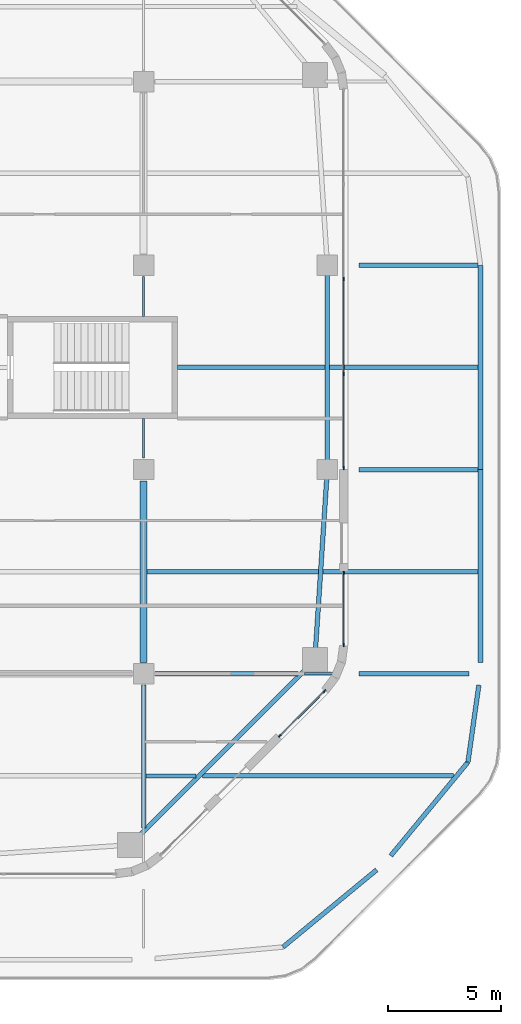
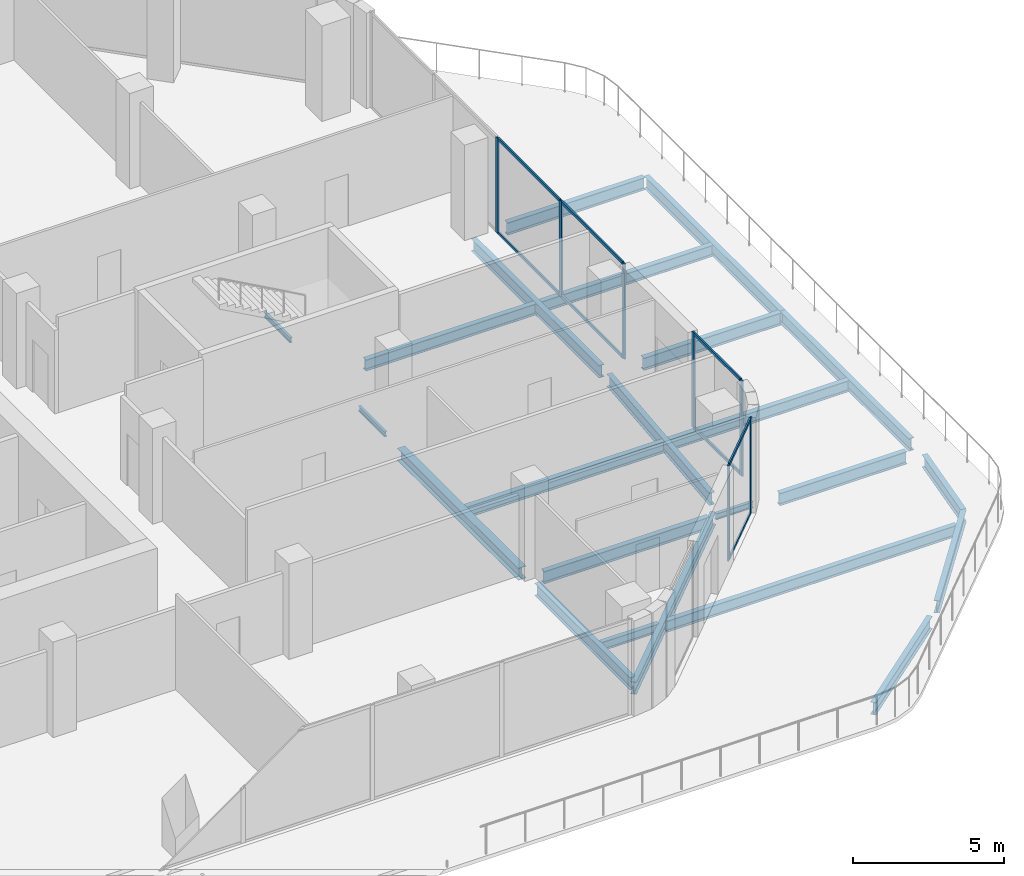
# One storey, part 19 of 29: 23 beams, 15 members, 3 elements without a shape of their own.
"""IFC4 building model written with IfcOpenShell, lengths in metres."""

from ifc_helpers import new_model, si_unit, direction, frame, origin, origin_2d, place, context, subcontext, project, spatial, rectangle, i_section, extrude, material, material_profile, profile_set, type_object, element, aggregate, save


model = new_model("IFC4")

# Units and contexts
model_context = context("Model", 3, precision=1e-05, world=origin(), true_north=direction((0.0, 1.0)))
body_context = subcontext(model_context, "Body", "Model", "MODEL_VIEW")
ifc_project = project(units=[si_unit("LENGTHUNIT", "METRE"), si_unit("AREAUNIT", "SQUARE_METRE"), si_unit("VOLUMEUNIT", "CUBIC_METRE"), si_unit("PLANEANGLEUNIT", "RADIAN"), si_unit("MASSUNIT", "GRAM", prefix="KILO")], contexts=[model_context])

# Site, building, storey
site_placement = place(None, origin())
site = spatial("IfcSite", under=ifc_project, at=site_placement, CompositionType="ELEMENT")
building_placement = place(site_placement, origin())
building = spatial("IfcBuilding", under=site, at=building_placement, Name="Cinnabar Reach Civic Tower", CompositionType="ELEMENT")
storey_placement = place(building_placement, frame((0.0, 0.0, 149.0)))
storey = spatial("IfcBuildingStorey", under=building, at=storey_placement, Name="L35", CompositionType="ELEMENT", Elevation=149.0)

# Beams
ifc_material_1 = material(Name="Steel Q355B", Category="steel")
ifc_material_profile_1 = material_profile(ifc_material_1, i_section(OverallWidth=0.3, OverallDepth=0.488, WebThickness=0.011, FlangeThickness=0.018, FilletRadius=0.016, at=origin_2d()), Name="HM488x300x11x18")
ifc_profile_set_1 = profile_set([ifc_material_profile_1], Name="Steel Q355B")
beam_type_1 = type_object("IfcBeamType", Name="HM488x300x11x18 beam R 180", PredefinedType="BEAM", material=ifc_profile_set_1)
beam_1_placement = place(storey_placement, frame((36.0, 18.502, -0.394), z_axis=(0.0, 1.0, 0.0), x_axis=(-1.0, 0.0, 0.0)))
element("IfcBeam", 1, at=beam_1_placement, inside=storey, type_object=beam_type_1, Name="Girder T1 L35 18", PredefinedType="BEAM", context=body_context, shape_type="SweptSolid", body=[
    extrude(i_section(OverallWidth=0.3, OverallDepth=0.488, WebThickness=0.011, FlangeThickness=0.018, FilletRadius=0.016, at=origin_2d()), origin(), (0.0, 0.0, 1.0), 7.996),
])
ifc_material_profile_2 = material_profile(ifc_material_1, i_section(OverallWidth=0.099, OverallDepth=0.198, WebThickness=0.0045, FlangeThickness=0.007, FilletRadius=0.013, at=origin_2d()), Name="HN200x100x5.5x8")
ifc_profile_set_2 = profile_set([ifc_material_profile_2], Name="Steel Q355B")
beam_type_2 = type_object("IfcBeamType", Name="HN200x100x5.5x8 beam R 180", PredefinedType="BEAM", material=ifc_profile_set_2)
for number, where, z_axis, x_axis, name in (
    (2, (36.0, 27.502, -0.249), (0.0, 1.0, 0.0), (-1.0, 0.0, 0.0), "Girder T1 L35 19"),
    (3, (36.0, 33.752, -0.249), (0.0, 1.0, 0.0), (-1.0, 0.0, 0.0), "Girder T1 L35 20"),
):
    element("IfcBeam", number, at=place(storey_placement, frame(where, z_axis=z_axis, x_axis=x_axis)), inside=storey, type_object=beam_type_2, Name=name, PredefinedType="BEAM", context=body_context, shape_type="SweptSolid", body=[
        extrude(i_section(OverallWidth=0.099, OverallDepth=0.198, WebThickness=0.0045, FlangeThickness=0.007, FilletRadius=0.013, at=origin_2d()), origin(), (0.0, 0.0, 1.0), 1.746),
    ])
ifc_material_profile_3 = material_profile(ifc_material_1, i_section(OverallWidth=0.124, OverallDepth=0.248, WebThickness=0.005, FlangeThickness=0.008, FilletRadius=0.013, at=origin_2d()), Name="HN250x125x6x9")
ifc_profile_set_3 = profile_set([ifc_material_profile_3], Name="Steel Q355B")
beam_type_3 = type_object("IfcBeamType", Name="HN250x125x6x9 beam R 180", PredefinedType="BEAM", material=ifc_profile_set_3)
beam_2_placement = place(storey_placement, frame((43.0892, 18.0, -0.274), z_axis=(1.0, 0.0, 0.0), x_axis=(0.0, 1.0, 0.0)))
element("IfcBeam", 4, at=beam_2_placement, inside=storey, type_object=beam_type_3, Name="Girder T1 L35 6", PredefinedType="BEAM", context=body_context, shape_type="SweptSolid", body=[
    extrude(i_section(OverallWidth=0.124, OverallDepth=0.248, WebThickness=0.005, FlangeThickness=0.008, FilletRadius=0.013, at=origin_2d()), origin(), (0.0, 0.0, 1.0), 1.4088),
])
ifc_material_profile_4 = material_profile(ifc_material_1, i_section(OverallWidth=0.175, OverallDepth=0.35, WebThickness=0.007, FlangeThickness=0.011, FilletRadius=0.013, at=origin_2d()), Name="HN350x175x7x11")
ifc_profile_set_4 = profile_set([ifc_material_profile_4], Name="Steel Q355B")
beam_type_4 = type_object("IfcBeamType", Name="HN350x175x7x11 beam R 180", PredefinedType="BEAM", material=ifc_profile_set_4)
beam_3_placement = place(storey_placement, frame((36.102, 13.5, -0.325), z_axis=(1.0, 0.0, 0.0), x_axis=(0.0, 1.0, 0.0)))
element("IfcBeam", 5, at=beam_3_placement, inside=storey, type_object=beam_type_4, Name="Secondary beam T1 L35 5", PredefinedType="BEAM", context=body_context, shape_type="SweptSolid", body=[
    extrude(i_section(OverallWidth=0.175, OverallDepth=0.35, WebThickness=0.007, FlangeThickness=0.011, FilletRadius=0.013, at=origin_2d()), origin(), (0.0, 0.0, 1.0), 2.1988),
])
ifc_material_profile_5 = material_profile(ifc_material_1, i_section(OverallWidth=0.2, OverallDepth=0.45, WebThickness=0.009, FlangeThickness=0.014, FilletRadius=0.016, at=origin_2d()), Name="HN450x200x9x14")
ifc_profile_set_5 = profile_set([ifc_material_profile_5], Name="Steel Q355B")
beam_type_5 = type_object("IfcBeamType", Name="HN450x200x9x14 beam R 180", PredefinedType="BEAM", material=ifc_profile_set_5)
beam_4_placement = place(storey_placement, frame((38.5892, 13.5, -0.375), z_axis=(1.0, 0.0, 0.0), x_axis=(0.0, 1.0, 0.0)))
element("IfcBeam", 6, at=beam_4_placement, inside=storey, type_object=beam_type_5, Name="Secondary beam T1 L35 6", PredefinedType="BEAM", context=body_context, shape_type="SweptSolid", body=[
    extrude(i_section(OverallWidth=0.2, OverallDepth=0.45, WebThickness=0.009, FlangeThickness=0.014, FilletRadius=0.016, at=origin_2d()), origin(), (0.0, 0.0, 1.0), 11.079),
])
beam_5_placement = place(storey_placement, frame((36.152, 22.5, -0.375), z_axis=(1.0, 0.0, 0.0), x_axis=(0.0, 1.0, 0.0)))
element("IfcBeam", 7, at=beam_5_placement, inside=storey, type_object=beam_type_5, Name="Secondary beam T1 L35 9", PredefinedType="BEAM", context=body_context, shape_type="SweptSolid", body=[
    extrude(i_section(OverallWidth=0.2, OverallDepth=0.45, WebThickness=0.009, FlangeThickness=0.014, FilletRadius=0.016, at=origin_2d()), origin(), (0.0, 0.0, 1.0), 7.5494),
])
beam_6_placement = place(storey_placement, frame((43.9059, 22.5, -0.375), z_axis=(1.0, 0.0, 0.0), x_axis=(0.0, 1.0, 0.0)))
element("IfcBeam", 8, at=beam_6_placement, inside=storey, type_object=beam_type_5, Name="Secondary beam T1 L35 10", PredefinedType="BEAM", context=body_context, shape_type="SweptSolid", body=[
    extrude(i_section(OverallWidth=0.2, OverallDepth=0.45, WebThickness=0.009, FlangeThickness=0.014, FilletRadius=0.016, at=origin_2d()), origin(), (0.0, 0.0, 1.0), 6.8421),
])
beam_7_placement = place(storey_placement, frame((37.502, 31.5, -0.375), z_axis=(1.0, 0.0, 0.0), x_axis=(0.0, 1.0, 0.0)))
element("IfcBeam", 9, at=beam_7_placement, inside=storey, type_object=beam_type_5, Name="Secondary beam T1 L35 14", PredefinedType="BEAM", context=body_context, shape_type="SweptSolid", body=[
    extrude(i_section(OverallWidth=0.2, OverallDepth=0.45, WebThickness=0.009, FlangeThickness=0.014, FilletRadius=0.016, at=origin_2d()), origin(), (0.0, 0.0, 1.0), 6.496),
])
beam_8_placement = place(storey_placement, frame((44.202, 31.5, -0.375), z_axis=(1.0, 0.0, 0.0), x_axis=(0.0, 1.0, 0.0)))
element("IfcBeam", 10, at=beam_8_placement, inside=storey, type_object=beam_type_5, Name="Secondary beam T1 L35 15", PredefinedType="BEAM", context=body_context, shape_type="SweptSolid", body=[
    extrude(i_section(OverallWidth=0.2, OverallDepth=0.45, WebThickness=0.009, FlangeThickness=0.014, FilletRadius=0.016, at=origin_2d()), origin(), (0.0, 0.0, 1.0), 6.546),
])
ifc_material_profile_6 = material_profile(ifc_material_1, i_section(OverallWidth=0.2, OverallDepth=0.5, WebThickness=0.01, FlangeThickness=0.016, FilletRadius=0.016, at=origin_2d()), Name="HN500x200x10x16")
ifc_profile_set_6 = profile_set([ifc_material_profile_6], Name="Steel Q355B")
beam_type_6 = type_object("IfcBeamType", Name="HN500x200x10x16 beam R 180", PredefinedType="BEAM", material=ifc_profile_set_6)
beam_9_placement = place(storey_placement, frame((35.8801, 10.9351, -0.4), z_axis=(0.707106781187, 0.707106781187, 0.0), x_axis=(-0.707106781187, 0.707106781187, 0.0)))
element("IfcBeam", 11, at=beam_9_placement, inside=storey, type_object=beam_type_6, Name="Edge beam T1 L35 5", PredefinedType="BEAM", context=body_context, shape_type="SweptSolid", body=[
    extrude(i_section(OverallWidth=0.2, OverallDepth=0.5, WebThickness=0.01, FlangeThickness=0.016, FilletRadius=0.016, at=origin_2d()), origin(), (0.0, 0.0, 1.0), 10.1608),
])
beam_10_placement = place(storey_placement, frame((43.5786, 19.0839, -0.4), z_axis=(0.065725526553, 0.997837739895, 0.0), x_axis=(-0.997837739895, 0.065725526553, 0.0)))
element("IfcBeam", 12, at=beam_10_placement, inside=storey, type_object=beam_type_6, Name="Edge beam T1 L35 6", PredefinedType="BEAM", context=body_context, shape_type="SweptSolid", body=[
    extrude(i_section(OverallWidth=0.2, OverallDepth=0.5, WebThickness=0.01, FlangeThickness=0.016, FilletRadius=0.016, at=origin_2d()), origin(), (0.0, 0.0, 1.0), 7.6622),
])
beam_11_placement = place(storey_placement, frame((44.1, 27.27, -0.4), z_axis=(0.0, 1.0, 0.0), x_axis=(-1.0, 0.0, 0.0)))
element("IfcBeam", 13, at=beam_11_placement, inside=storey, type_object=beam_type_6, Name="Edge beam T1 L35 7", PredefinedType="BEAM", context=body_context, shape_type="SweptSolid", body=[
    extrude(i_section(OverallWidth=0.2, OverallDepth=0.5, WebThickness=0.01, FlangeThickness=0.016, FilletRadius=0.016, at=origin_2d()), origin(), (0.0, 0.0, 1.0), 8.46),
])
for number, where, z_axis, x_axis, name in (
    (14, (42.1481, 5.9531, -0.4), (0.77143527222, 0.636307803484, 0.0), (-0.636307803484, 0.77143527222, 0.0), "Edge beam T1 L35 27"),
    (15, (46.8961, 9.9789, -0.4), (0.636307803484, 0.77143527222, 0.0), (-0.77143527222, 0.636307803484, 0.0), "Edge beam T1 L35 28"),
):
    element("IfcBeam", number, at=place(storey_placement, frame(where, z_axis=z_axis, x_axis=x_axis)), inside=storey, type_object=beam_type_6, Name=name, PredefinedType="BEAM", context=body_context, shape_type="SweptSolid", body=[
        extrude(i_section(OverallWidth=0.2, OverallDepth=0.5, WebThickness=0.01, FlangeThickness=0.016, FilletRadius=0.016, at=origin_2d()), origin(), (0.0, 0.0, 1.0), 5.3446),
    ])
beam_12_placement = place(storey_placement, frame((50.2969, 14.1019, -0.4), z_axis=(0.14049071405, 0.990081996234, 0.0), x_axis=(-0.990081996234, 0.14049071405, 0.0)))
element("IfcBeam", 16, at=beam_12_placement, inside=storey, type_object=beam_type_6, Name="Edge beam T1 L35 29", PredefinedType="BEAM", context=body_context, shape_type="SweptSolid", body=[
    extrude(i_section(OverallWidth=0.2, OverallDepth=0.5, WebThickness=0.01, FlangeThickness=0.016, FilletRadius=0.016, at=origin_2d()), origin(), (0.0, 0.0, 1.0), 3.4301),
])
beam_13_placement = place(storey_placement, frame((50.85, 18.502, -0.4), z_axis=(0.0, 1.0, 0.0), x_axis=(-1.0, 0.0, 0.0)))
element("IfcBeam", 17, at=beam_13_placement, inside=storey, type_object=beam_type_6, Name="Edge beam T1 L35 30", PredefinedType="BEAM", context=body_context, shape_type="SweptSolid", body=[
    extrude(i_section(OverallWidth=0.2, OverallDepth=0.5, WebThickness=0.01, FlangeThickness=0.016, FilletRadius=0.016, at=origin_2d()), origin(), (0.0, 0.0, 1.0), 8.498),
])
beam_14_placement = place(storey_placement, frame((50.85, 27.0, -0.4), z_axis=(0.0, 1.0, 0.0), x_axis=(-1.0, 0.0, 0.0)))
element("IfcBeam", 18, at=beam_14_placement, inside=storey, type_object=beam_type_6, Name="Edge beam T1 L35 31", PredefinedType="BEAM", context=body_context, shape_type="SweptSolid", body=[
    extrude(i_section(OverallWidth=0.2, OverallDepth=0.5, WebThickness=0.01, FlangeThickness=0.016, FilletRadius=0.016, at=origin_2d()), origin(), (0.0, 0.0, 1.0), 9.0),
])
beam_15_placement = place(storey_placement, frame((36.502, 18.0, -0.4), z_axis=(1.0, 0.0, 0.0), x_axis=(0.0, 1.0, 0.0)))
element("IfcBeam", 19, at=beam_15_placement, inside=storey, type_object=beam_type_6, Name="Girder T1 L35 5", PredefinedType="BEAM", context=body_context, shape_type="SweptSolid", body=[
    extrude(i_section(OverallWidth=0.2, OverallDepth=0.5, WebThickness=0.01, FlangeThickness=0.016, FilletRadius=0.016, at=origin_2d()), origin(), (0.0, 0.0, 1.0), 6.2988),
])
beam_16_placement = place(storey_placement, frame((45.502, 18.0, -0.4), z_axis=(1.0, 0.0, 0.0), x_axis=(0.0, 1.0, 0.0)))
element("IfcBeam", 20, at=beam_16_placement, inside=storey, type_object=beam_type_6, Name="Girder T1 L35 7", PredefinedType="BEAM", context=body_context, shape_type="SweptSolid", body=[
    extrude(i_section(OverallWidth=0.2, OverallDepth=0.5, WebThickness=0.01, FlangeThickness=0.016, FilletRadius=0.016, at=origin_2d()), origin(), (0.0, 0.0, 1.0), 4.846),
])
beam_17_placement = place(storey_placement, frame((45.502, 27.0, -0.4), z_axis=(1.0, 0.0, 0.0), x_axis=(0.0, 1.0, 0.0)))
element("IfcBeam", 21, at=beam_17_placement, inside=storey, type_object=beam_type_6, Name="Girder T1 L35 8", PredefinedType="BEAM", context=body_context, shape_type="SweptSolid", body=[
    extrude(i_section(OverallWidth=0.2, OverallDepth=0.5, WebThickness=0.01, FlangeThickness=0.016, FilletRadius=0.016, at=origin_2d()), origin(), (0.0, 0.0, 1.0), 5.246),
])
beam_18_placement = place(storey_placement, frame((45.502, 36.0, -0.4), z_axis=(1.0, 0.0, 0.0), x_axis=(0.0, 1.0, 0.0)))
element("IfcBeam", 22, at=beam_18_placement, inside=storey, type_object=beam_type_6, Name="Girder T1 L35 9", PredefinedType="BEAM", context=body_context, shape_type="SweptSolid", body=[
    extrude(i_section(OverallWidth=0.2, OverallDepth=0.5, WebThickness=0.01, FlangeThickness=0.016, FilletRadius=0.016, at=origin_2d()), origin(), (0.0, 0.0, 1.0), 5.245),
])
beam_19_placement = place(storey_placement, frame((36.0, 11.1992, -0.4), z_axis=(0.0, 1.0, 0.0), x_axis=(-1.0, 0.0, 0.0)))
element("IfcBeam", 23, at=beam_19_placement, inside=storey, type_object=beam_type_6, Name="Girder T1 L35 17", PredefinedType="BEAM", context=body_context, shape_type="SweptSolid", body=[
    extrude(i_section(OverallWidth=0.2, OverallDepth=0.5, WebThickness=0.01, FlangeThickness=0.016, FilletRadius=0.016, at=origin_2d()), origin(), (0.0, 0.0, 1.0), 6.2988),
])

# Curtain wall, members
ifc_material_2 = material(Name="Aluminium and clear double glazing", Category="aluminium")
curtain_wall_type = type_object("IfcCurtainWallType", Name="Tower 1 sky lobby curtain wall", PredefinedType="NOTDEFINED", material=ifc_material_2)
curtain_wall_1_placement = place(storey_placement, origin())
curtain_wall_1 = element("IfcCurtainWall", 24, at=curtain_wall_1_placement, inside=storey, type_object=curtain_wall_type, Name="Tower 1 sky lobby 4", PredefinedType="NOTDEFINED")
ifc_material_3 = material(Name="Aluminium", Category="aluminium")
ifc_material_profile_7 = material_profile(ifc_material_3, rectangle(XDim=0.06, YDim=0.16, at=origin_2d()), Name="Tower 1 sky lobby mullion")
ifc_profile_set_7 = profile_set([ifc_material_profile_7], Name="Aluminium")
member_type_1 = type_object("IfcMemberType", Name="Tower 1 sky lobby mullion", PredefinedType="MULLION", material=ifc_profile_set_7)
member_1_placement = place(storey_placement, frame((42.0061, 15.2607, 0.0), z_axis=(0.0, 0.0, 1.0), x_axis=(-0.707106781187, 0.707106781187, 0.0)))
member_1 = element("IfcMember", 25, at=member_1_placement, type_object=member_type_1, Name="CW-T1SKY-4 mullion 1", PredefinedType="MULLION", context=body_context, shape_type="SweptSolid", body=[
    extrude(rectangle(XDim=0.06, YDim=0.16, at=origin_2d()), origin(), (0.0, 0.0, 1.0), 3.85),
])
member_2_placement = place(storey_placement, frame((43.9728, 17.2274, 0.0), z_axis=(0.0, 0.0, 1.0), x_axis=(-0.707106781187, 0.707106781187, 0.0)))
member_2 = element("IfcMember", 26, at=member_2_placement, type_object=member_type_1, Name="CW-T1SKY-4 mullion 2", PredefinedType="MULLION", context=body_context, shape_type="SweptSolid", body=[
    extrude(rectangle(XDim=0.06, YDim=0.16, at=origin_2d()), origin(), (0.0, 0.0, 1.0), 3.85),
])

curtain_wall_2_placement = place(storey_placement, origin())
curtain_wall_2 = element("IfcCurtainWall", 27, at=curtain_wall_2_placement, inside=storey, type_object=curtain_wall_type, Name="Tower 1 sky lobby 5", PredefinedType="NOTDEFINED")
member_3_placement = place(storey_placement, frame((44.82, 19.2726, 0.0), z_axis=(0.0, 0.0, 1.0), x_axis=(-1.0, 0.0, 0.0)))
member_3 = element("IfcMember", 28, at=member_3_placement, type_object=member_type_1, Name="CW-T1SKY-5 mullion 1", PredefinedType="MULLION", context=body_context, shape_type="SweptSolid", body=[
    extrude(rectangle(XDim=0.06, YDim=0.16, at=origin_2d()), origin(), (0.0, 0.0, 1.0), 3.85),
])
member_4_placement = place(storey_placement, frame((44.82, 22.44, 0.0), z_axis=(0.0, 0.0, 1.0), x_axis=(-1.0, 0.0, 0.0)))
member_4 = element("IfcMember", 29, at=member_4_placement, type_object=member_type_1, Name="CW-T1SKY-5 mullion 2", PredefinedType="MULLION", context=body_context, shape_type="SweptSolid", body=[
    extrude(rectangle(XDim=0.06, YDim=0.16, at=origin_2d()), origin(), (0.0, 0.0, 1.0), 3.85),
])

curtain_wall_3_placement = place(storey_placement, origin())
curtain_wall_3 = element("IfcCurtainWall", 30, at=curtain_wall_3_placement, inside=storey, type_object=curtain_wall_type, Name="Tower 1 sky lobby 6", PredefinedType="NOTDEFINED")
member_5_placement = place(storey_placement, frame((44.82, 27.06, 0.0), z_axis=(0.0, 0.0, 1.0), x_axis=(-1.0, 0.0, 0.0)))
member_5 = element("IfcMember", 31, at=member_5_placement, type_object=member_type_1, Name="CW-T1SKY-6 mullion 1", PredefinedType="MULLION", context=body_context, shape_type="SweptSolid", body=[
    extrude(rectangle(XDim=0.06, YDim=0.16, at=origin_2d()), origin(), (0.0, 0.0, 1.0), 3.85),
])
member_6_placement = place(storey_placement, frame((44.82, 31.2118, 0.0), z_axis=(0.0, 0.0, 1.0), x_axis=(-1.0, 0.0, 0.0)))
member_6 = element("IfcMember", 32, at=member_6_placement, type_object=member_type_1, Name="CW-T1SKY-6 mullion 2", PredefinedType="MULLION", context=body_context, shape_type="SweptSolid", body=[
    extrude(rectangle(XDim=0.06, YDim=0.16, at=origin_2d()), origin(), (0.0, 0.0, 1.0), 3.85),
])
member_7_placement = place(storey_placement, frame((44.82, 35.3937, 0.0), z_axis=(0.0, 0.0, 1.0), x_axis=(-1.0, 0.0, 0.0)))
member_7 = element("IfcMember", 33, at=member_7_placement, type_object=member_type_1, Name="CW-T1SKY-6 mullion 3", PredefinedType="MULLION", context=body_context, shape_type="SweptSolid", body=[
    extrude(rectangle(XDim=0.06, YDim=0.16, at=origin_2d()), origin(), (0.0, 0.0, 1.0), 3.85),
])

# Member
ifc_material_profile_8 = material_profile(ifc_material_3, rectangle(XDim=0.06, YDim=0.12, at=origin_2d()), Name="Tower 1 sky lobby transom")
ifc_profile_set_8 = profile_set([ifc_material_profile_8], Name="Aluminium")
member_type_2 = type_object("IfcMemberType", Name="Tower 1 sky lobby transom", PredefinedType="USERDEFINED", material=ifc_profile_set_8)
member_8_placement = place(storey_placement, frame((42.0273, 15.2819, 0.03), z_axis=(0.707106781187, 0.707106781187, 0.0), x_axis=(-0.707106781187, 0.707106781187, 0.0)))
member_8 = element("IfcMember", 34, at=member_8_placement, type_object=member_type_2, Name="CW-T1SKY-4 transom 1.1", ObjectType="TRANSOM", PredefinedType="USERDEFINED", context=body_context, shape_type="SweptSolid", body=[
    extrude(rectangle(XDim=0.06, YDim=0.12, at=origin_2d()), origin(), (0.0, 0.0, 1.0), 2.7214),
])

member_9_placement = place(storey_placement, frame((42.0273, 15.2819, 3.82), z_axis=(0.707106781187, 0.707106781187, 0.0), x_axis=(-0.707106781187, 0.707106781187, 0.0)))
member_9 = element("IfcMember", 35, at=member_9_placement, type_object=member_type_2, Name="CW-T1SKY-4 transom 1.2", ObjectType="TRANSOM", PredefinedType="USERDEFINED", context=body_context, shape_type="SweptSolid", body=[
    extrude(rectangle(XDim=0.06, YDim=0.12, at=origin_2d()), origin(), (0.0, 0.0, 1.0), 2.7214),
])

aggregate(curtain_wall_1, [member_1, member_2, member_8, member_9])

member_10_placement = place(storey_placement, frame((44.82, 19.3026, 0.03), z_axis=(0.0, 1.0, 0.0), x_axis=(-1.0, 0.0, 0.0)))
member_10 = element("IfcMember", 36, at=member_10_placement, type_object=member_type_2, Name="CW-T1SKY-5 transom 1.1", ObjectType="TRANSOM", PredefinedType="USERDEFINED", context=body_context, shape_type="SweptSolid", body=[
    extrude(rectangle(XDim=0.06, YDim=0.12, at=origin_2d()), origin(), (0.0, 0.0, 1.0), 3.1074),
])

member_11_placement = place(storey_placement, frame((44.82, 19.3026, 3.82), z_axis=(0.0, 1.0, 0.0), x_axis=(-1.0, 0.0, 0.0)))
member_11 = element("IfcMember", 37, at=member_11_placement, type_object=member_type_2, Name="CW-T1SKY-5 transom 1.2", ObjectType="TRANSOM", PredefinedType="USERDEFINED", context=body_context, shape_type="SweptSolid", body=[
    extrude(rectangle(XDim=0.06, YDim=0.12, at=origin_2d()), origin(), (0.0, 0.0, 1.0), 3.1074),
])

aggregate(curtain_wall_2, [member_3, member_4, member_10, member_11])

member_12_placement = place(storey_placement, frame((44.82, 27.09, 0.03), z_axis=(0.0, 1.0, 0.0), x_axis=(-1.0, 0.0, 0.0)))
member_12 = element("IfcMember", 38, at=member_12_placement, type_object=member_type_2, Name="CW-T1SKY-6 transom 1.1", ObjectType="TRANSOM", PredefinedType="USERDEFINED", context=body_context, shape_type="SweptSolid", body=[
    extrude(rectangle(XDim=0.06, YDim=0.12, at=origin_2d()), origin(), (0.0, 0.0, 1.0), 4.0919),
])

member_13_placement = place(storey_placement, frame((44.82, 27.09, 3.82), z_axis=(0.0, 1.0, 0.0), x_axis=(-1.0, 0.0, 0.0)))
member_13 = element("IfcMember", 39, at=member_13_placement, type_object=member_type_2, Name="CW-T1SKY-6 transom 1.2", ObjectType="TRANSOM", PredefinedType="USERDEFINED", context=body_context, shape_type="SweptSolid", body=[
    extrude(rectangle(XDim=0.06, YDim=0.12, at=origin_2d()), origin(), (0.0, 0.0, 1.0), 4.0919),
])

member_14_placement = place(storey_placement, frame((44.82, 31.2418, 0.03), z_axis=(0.0, 1.0, 0.0), x_axis=(-1.0, 0.0, 0.0)))
member_14 = element("IfcMember", 40, at=member_14_placement, type_object=member_type_2, Name="CW-T1SKY-6 transom 2.1", ObjectType="TRANSOM", PredefinedType="USERDEFINED", context=body_context, shape_type="SweptSolid", body=[
    extrude(rectangle(XDim=0.06, YDim=0.12, at=origin_2d()), origin(), (0.0, 0.0, 1.0), 4.1219),
])

member_15_placement = place(storey_placement, frame((44.82, 31.2418, 3.82), z_axis=(0.0, 1.0, 0.0), x_axis=(-1.0, 0.0, 0.0)))
member_15 = element("IfcMember", 41, at=member_15_placement, type_object=member_type_2, Name="CW-T1SKY-6 transom 2.2", ObjectType="TRANSOM", PredefinedType="USERDEFINED", context=body_context, shape_type="SweptSolid", body=[
    extrude(rectangle(XDim=0.06, YDim=0.12, at=origin_2d()), origin(), (0.0, 0.0, 1.0), 4.1219),
])

aggregate(curtain_wall_3, [member_5, member_6, member_7, member_12, member_13, member_14, member_15])

save(model, "model.ifc")
